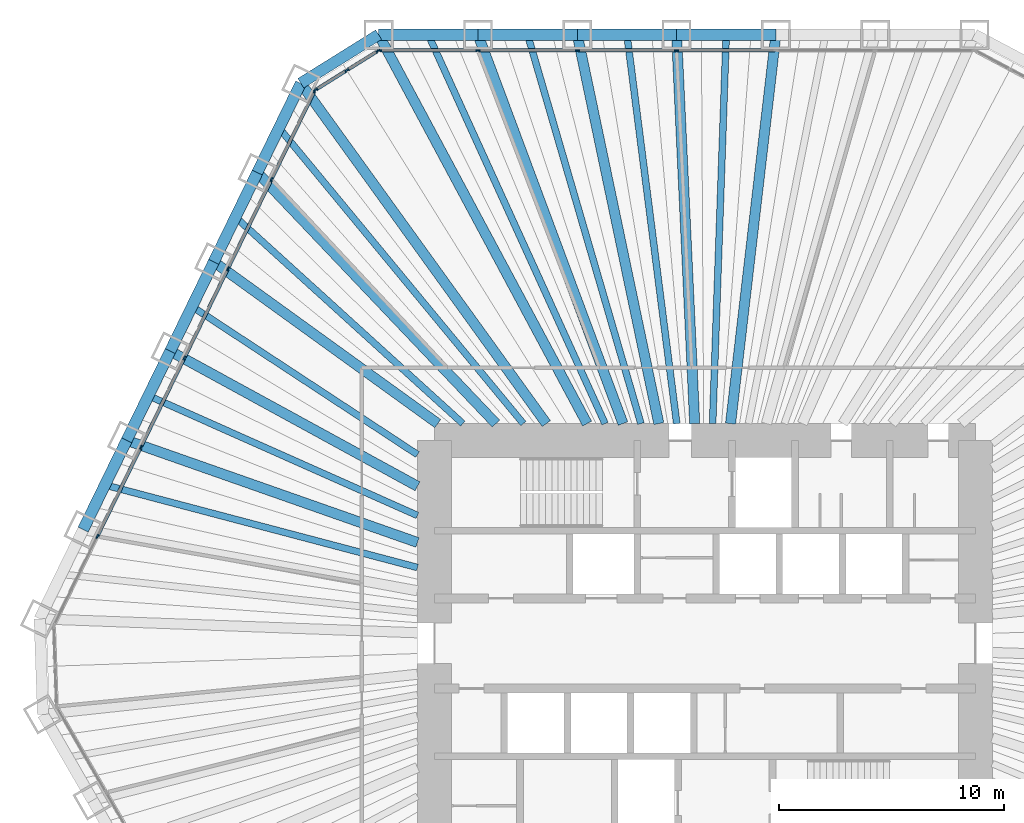
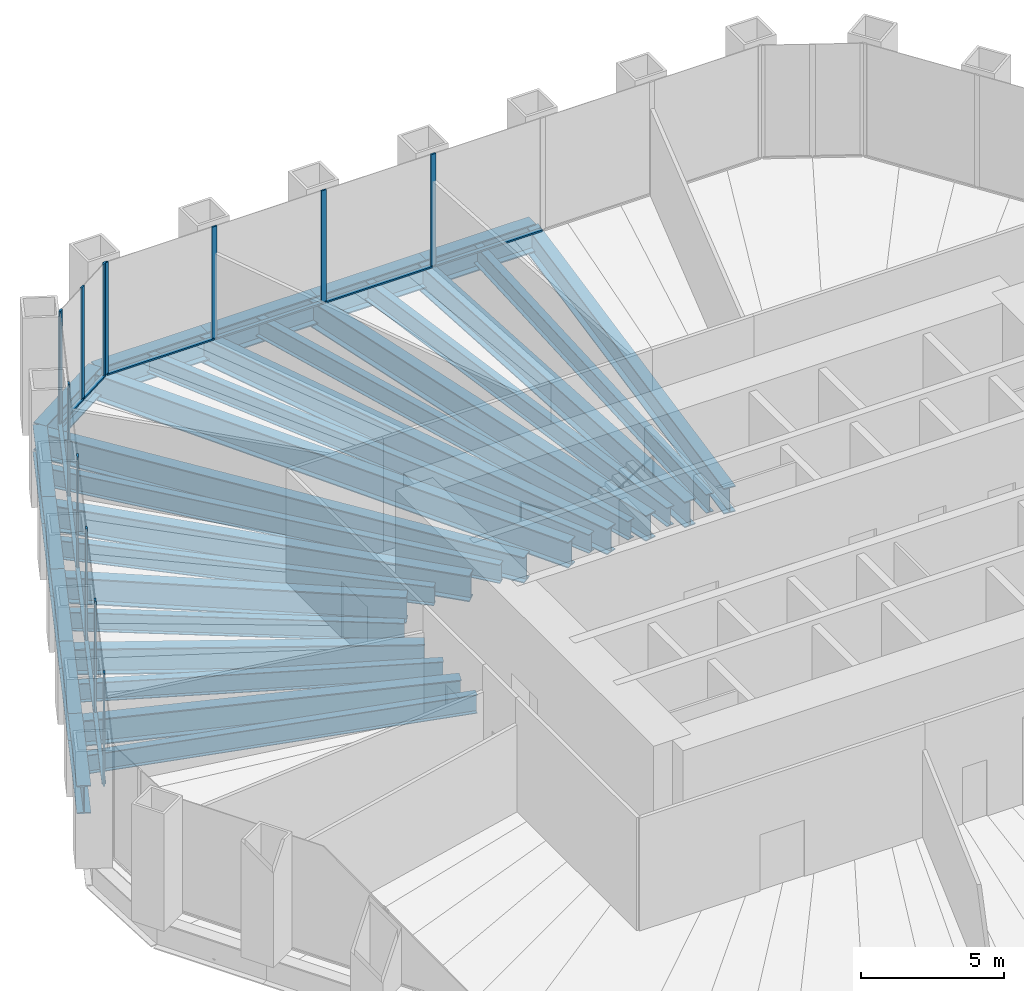
# One storey, part 6 of 13: 29 beams, 24 members, 3 elements without a shape of their own.
"""IFC4 building model written with IfcOpenShell, lengths in metres."""

from ifc_helpers import new_model, si_unit, direction, frame, origin, origin_2d, place, context, subcontext, project, spatial, rectangle, i_section, extrude, material, material_profile, profile_set, type_object, element, aggregate, save


model = new_model("IFC4")

# Units and contexts
model_context = context("Model", 3, precision=1e-05, world=origin(), true_north=direction((0.0, 1.0)))
body_context = subcontext(model_context, "Body", "Model", "MODEL_VIEW")
ifc_project = project(units=[si_unit("LENGTHUNIT", "METRE"), si_unit("AREAUNIT", "SQUARE_METRE"), si_unit("VOLUMEUNIT", "CUBIC_METRE"), si_unit("PLANEANGLEUNIT", "RADIAN"), si_unit("MASSUNIT", "GRAM", prefix="KILO")], contexts=[model_context])

# Site, building, storey
site_placement = place(None, origin())
site = spatial("IfcSite", under=ifc_project, at=site_placement, CompositionType="ELEMENT")
building_placement = place(site_placement, origin())
building = spatial("IfcBuilding", under=site, at=building_placement, Name="Qingtian Harvest Tower", CompositionType="ELEMENT")
storey_placement = place(building_placement, frame((0.0, 0.0, 27.0)))
storey = spatial("IfcBuildingStorey", under=building, at=storey_placement, Name="L05", CompositionType="ELEMENT", Elevation=27.0)

# Beams
ifc_material_1 = material(Name="Steel SM570MC", Category="steel")
ifc_material_profile_1 = material_profile(ifc_material_1, i_section(OverallWidth=0.449951171875, OverallDepth=1.10009765625, WebThickness=0.02197265625, FlangeThickness=0.044921875, at=origin_2d()), Name="H1100x450x22x45")
ifc_profile_set_1 = profile_set([ifc_material_profile_1], Name="Steel SM570MC")
beam_type_1 = type_object("IfcBeamType", Name="Corner floor beam FB8 H1100x450x22x45", PredefinedType="BEAM", material=ifc_profile_set_1)
beam_1_placement = place(storey_placement, frame((-14.471435546875, 27.0, -0.75), z_axis=(0.472401408299, -0.881383520062, 0.0), x_axis=(0.881383520062, 0.472401408299, 0.0)))
element("IfcBeam", 1, at=beam_1_placement, inside=storey, type_object=beam_type_1, Name="Floor beam FB8 N0", PredefinedType="BEAM", context=body_context, shape_type="SweptSolid", body=[
    extrude(i_section(OverallWidth=0.449951171875, OverallDepth=1.10009765625, WebThickness=0.02197265625, FlangeThickness=0.044921875, at=origin_2d()), origin(), (0.0, 0.0, 1.0), 19.571533203125),
])
beam_2_placement = place(storey_placement, frame((-17.923583984375, 24.8427734375, -0.75), z_axis=(0.585095822328, -0.810964166098, 0.0), x_axis=(0.810964166098, 0.585095822328, 0.0)))
element("IfcBeam", 2, at=beam_2_placement, inside=storey, type_object=beam_type_1, Name="Floor beam FB8 NW6", PredefinedType="BEAM", context=body_context, shape_type="SweptSolid", body=[
    extrude(i_section(OverallWidth=0.449951171875, OverallDepth=1.10009765625, WebThickness=0.02197265625, FlangeThickness=0.044921875, at=origin_2d()), origin(), (0.0, 0.0, 1.0), 18.61083984375),
])
ifc_material_2 = material(Name="Steel SM570MC", Category="steel")
ifc_material_profile_2 = material_profile(ifc_material_2, i_section(OverallWidth=0.449951171875, OverallDepth=1.10009765625, WebThickness=0.02197265625, FlangeThickness=0.044921875, at=origin_2d()), Name="H1100x450x22x45")
ifc_profile_set_2 = profile_set([ifc_material_profile_2], Name="Steel SM570MC")
beam_type_2 = type_object("IfcBeamType", Name="Floor beam FB1 H1100x450x22x45", PredefinedType="BEAM", material=ifc_profile_set_2)
beam_3_placement = place(storey_placement, frame((-10.06689453125, 27.0, -0.75), z_axis=(0.349355612113, -0.936990211414, 0.0), x_axis=(0.936990211414, 0.349355612113, 0.0)))
element("IfcBeam", 3, at=beam_3_placement, inside=storey, type_object=beam_type_2, Name="Floor beam FB1 N1", PredefinedType="BEAM", context=body_context, shape_type="SweptSolid", body=[
    extrude(i_section(OverallWidth=0.449951171875, OverallDepth=1.10009765625, WebThickness=0.02197265625, FlangeThickness=0.044921875, at=origin_2d()), origin(), (0.0, 0.0, 1.0), 18.409912109375),
])
beam_4_placement = place(storey_placement, frame((-5.662353515625, 27.0, -0.75), z_axis=(0.205255077335, -0.978708512903, 0.0), x_axis=(0.978708512903, 0.205255077335, 0.0)))
element("IfcBeam", 4, at=beam_4_placement, inside=storey, type_object=beam_type_2, Name="Floor beam FB1 N2", PredefinedType="BEAM", context=body_context, shape_type="SweptSolid", body=[
    extrude(i_section(OverallWidth=0.449951171875, OverallDepth=1.10009765625, WebThickness=0.02197265625, FlangeThickness=0.044921875, at=origin_2d()), origin(), (0.0, 0.0, 1.0), 17.625244140625),
])
beam_5_placement = place(storey_placement, frame((-1.257568359375, 27.0, -0.75), z_axis=(0.046527342366, -0.99891701678, 0.0), x_axis=(0.99891701678, 0.046527342366, 0.0)))
element("IfcBeam", 5, at=beam_5_placement, inside=storey, type_object=beam_type_2, Name="Floor beam FB1 N3", PredefinedType="BEAM", context=body_context, shape_type="SweptSolid", body=[
    extrude(i_section(OverallWidth=0.449951171875, OverallDepth=1.10009765625, WebThickness=0.02197265625, FlangeThickness=0.044921875, at=origin_2d()), origin(), (0.0, 0.0, 1.0), 17.268798828125),
])
beam_6_placement = place(storey_placement, frame((3.14697265625, 27.0, -0.75), z_axis=(-0.115766971807, -0.993276400726, 0.0), x_axis=(0.993276400726, -0.115766971807, 0.0)))
element("IfcBeam", 6, at=beam_6_placement, inside=storey, type_object=beam_type_2, Name="Floor beam FB1 N4", PredefinedType="BEAM", context=body_context, shape_type="SweptSolid", body=[
    extrude(i_section(OverallWidth=0.449951171875, OverallDepth=1.10009765625, WebThickness=0.02197265625, FlangeThickness=0.044921875, at=origin_2d()), origin(), (0.0, 0.0, 1.0), 17.36669921875),
])
beam_7_placement = place(storey_placement, frame((-25.64697265625, 9.007568359375, -0.75), z_axis=(0.943501950009, -0.331366972296, 0.0), x_axis=(0.331366972296, 0.943501950009, 0.0)))
element("IfcBeam", 7, at=beam_7_placement, inside=storey, type_object=beam_type_2, Name="Floor beam FB1 NW2", PredefinedType="BEAM", context=body_context, shape_type="SweptSolid", body=[
    extrude(i_section(OverallWidth=0.449951171875, OverallDepth=1.10009765625, WebThickness=0.02197265625, FlangeThickness=0.044921875, at=origin_2d()), origin(), (0.0, 0.0, 1.0), 13.669189453125),
])
beam_8_placement = place(storey_placement, frame((-23.716064453125, 12.96630859375, -0.75), z_axis=(0.877428569154, -0.479707312882, 0.0), x_axis=(0.479707312882, 0.877428569154, 0.0)))
element("IfcBeam", 8, at=beam_8_placement, inside=storey, type_object=beam_type_2, Name="Floor beam FB1 NW3", PredefinedType="BEAM", context=body_context, shape_type="SweptSolid", body=[
    extrude(i_section(OverallWidth=0.449951171875, OverallDepth=1.10009765625, WebThickness=0.02197265625, FlangeThickness=0.044921875, at=origin_2d()), origin(), (0.0, 0.0, 1.0), 12.498046875),
])
beam_9_placement = place(storey_placement, frame((-21.78515625, 16.92529296875, -0.75), z_axis=(0.810680279019, -0.585489099139, 0.0), x_axis=(0.585489099139, 0.810680279019, 0.0)))
element("IfcBeam", 9, at=beam_9_placement, inside=storey, type_object=beam_type_2, Name="Floor beam FB1 NW4", PredefinedType="BEAM", context=body_context, shape_type="SweptSolid", body=[
    extrude(i_section(OverallWidth=0.449951171875, OverallDepth=1.10009765625, WebThickness=0.02197265625, FlangeThickness=0.044921875, at=origin_2d()), origin(), (0.0, 0.0, 1.0), 12.255126953125),
])
beam_10_placement = place(storey_placement, frame((-19.8544921875, 20.884033203125, -0.75), z_axis=(0.689018801535, -0.724743465739, 0.0), x_axis=(0.724743465739, 0.689018801535, 0.0)))
element("IfcBeam", 10, at=beam_10_placement, inside=storey, type_object=beam_type_2, Name="Floor beam FB1 NW5", PredefinedType="BEAM", context=body_context, shape_type="SweptSolid", body=[
    extrude(i_section(OverallWidth=0.449951171875, OverallDepth=1.10009765625, WebThickness=0.02197265625, FlangeThickness=0.044921875, at=origin_2d()), origin(), (0.0, 0.0, 1.0), 15.36279296875),
])
ifc_material_3 = material(Name="Steel SN490B", Category="steel")
ifc_material_profile_3 = material_profile(ifc_material_3, i_section(OverallWidth=0.300048828125, OverallDepth=0.800048828125, WebThickness=0.013916015625, FlangeThickness=0.02587890625, at=origin_2d()), Name="H800x300x14x26")
ifc_profile_set_3 = profile_set([ifc_material_profile_3], Name="Steel SN490B")
beam_type_3 = type_object("IfcBeamType", Name="Floor joist J1 H800x300x14x26", PredefinedType="JOIST", material=ifc_profile_set_3)
beam_11_placement = place(storey_placement, frame((-12.269287109375, 27.0, -0.60009765625), z_axis=(0.413713629402, -0.910407069858, 0.0), x_axis=(0.910407069858, 0.413713629402, 0.0)))
element("IfcBeam", 11, at=beam_11_placement, inside=storey, type_object=beam_type_3, Name="Floor joist J1 N0", PredefinedType="JOIST", context=body_context, shape_type="SweptSolid", body=[
    extrude(i_section(OverallWidth=0.300048828125, OverallDepth=0.800048828125, WebThickness=0.013916015625, FlangeThickness=0.02587890625, at=origin_2d()), origin(), (0.0, 0.0, 1.0), 18.947509765625),
])
beam_12_placement = place(storey_placement, frame((-7.864501953125, 27.0, -0.60009765625), z_axis=(0.279649335299, -0.960102207719, 0.0), x_axis=(0.960102207719, 0.279649335299, 0.0)))
element("IfcBeam", 12, at=beam_12_placement, inside=storey, type_object=beam_type_3, Name="Floor joist J1 N1", PredefinedType="JOIST", context=body_context, shape_type="SweptSolid", body=[
    extrude(i_section(OverallWidth=0.300048828125, OverallDepth=0.800048828125, WebThickness=0.013916015625, FlangeThickness=0.02587890625, at=origin_2d()), origin(), (0.0, 0.0, 1.0), 17.966796875),
])
beam_13_placement = place(storey_placement, frame((-3.4599609375, 27.0, -0.60009765625), z_axis=(0.127102696173, -0.991889562716, 0.0), x_axis=(0.991889562716, 0.127102696173, 0.0)))
element("IfcBeam", 13, at=beam_13_placement, inside=storey, type_object=beam_type_3, Name="Floor joist J1 N2", PredefinedType="JOIST", context=body_context, shape_type="SweptSolid", body=[
    extrude(i_section(OverallWidth=0.300048828125, OverallDepth=0.800048828125, WebThickness=0.013916015625, FlangeThickness=0.02587890625, at=origin_2d()), origin(), (0.0, 0.0, 1.0), 17.39111328125),
])
beam_14_placement = place(storey_placement, frame((0.944580078125, 27.0, -0.60009765625), z_axis=(-0.034965020137, -0.99938853674, 0.0), x_axis=(0.99938853674, -0.034965020137, 0.0)))
element("IfcBeam", 14, at=beam_14_placement, inside=storey, type_object=beam_type_3, Name="Floor joist J1 N3", PredefinedType="JOIST", context=body_context, shape_type="SweptSolid", body=[
    extrude(i_section(OverallWidth=0.300048828125, OverallDepth=0.800048828125, WebThickness=0.013916015625, FlangeThickness=0.02587890625, at=origin_2d()), origin(), (0.0, 0.0, 1.0), 17.260498046875),
])
beam_15_placement = place(storey_placement, frame((-26.6123046875, 7.028076171875, -0.60009765625), z_axis=(0.966852496992, -0.255335561684, 0.0), x_axis=(0.255335561684, 0.966852496992, 0.0)))
element("IfcBeam", 15, at=beam_15_placement, inside=storey, type_object=beam_type_3, Name="Floor joist J1 NW1", PredefinedType="JOIST", context=body_context, shape_type="SweptSolid", body=[
    extrude(i_section(OverallWidth=0.300048828125, OverallDepth=0.800048828125, WebThickness=0.013916015625, FlangeThickness=0.02587890625, at=origin_2d()), origin(), (0.0, 0.0, 1.0), 14.337646484375),
])
beam_16_placement = place(storey_placement, frame((-24.681640625, 10.987060546875, -0.60009765625), z_axis=(0.913567796195, -0.406686466157, 0.0), x_axis=(0.406686466157, 0.913567796195, 0.0)))
element("IfcBeam", 16, at=beam_16_placement, inside=storey, type_object=beam_type_3, Name="Floor joist J1 NW2", PredefinedType="JOIST", context=body_context, shape_type="SweptSolid", body=[
    extrude(i_section(OverallWidth=0.300048828125, OverallDepth=0.800048828125, WebThickness=0.013916015625, FlangeThickness=0.02587890625, at=origin_2d()), origin(), (0.0, 0.0, 1.0), 13.060546875),
])
beam_17_placement = place(storey_placement, frame((-22.750732421875, 14.94580078125, -0.60009765625), z_axis=(0.835785467613, -0.549056146607, 0.0), x_axis=(0.549056146607, 0.835785467613, 0.0)))
element("IfcBeam", 17, at=beam_17_placement, inside=storey, type_object=beam_type_3, Name="Floor joist J1 NW3", PredefinedType="JOIST", context=body_context, shape_type="SweptSolid", body=[
    extrude(i_section(OverallWidth=0.300048828125, OverallDepth=0.800048828125, WebThickness=0.013916015625, FlangeThickness=0.02587890625, at=origin_2d()), origin(), (0.0, 0.0, 1.0), 11.965576171875),
])
beam_18_placement = place(storey_placement, frame((-20.81982421875, 18.904541015625, -0.60009765625), z_axis=(0.740339866926, -0.672232758381, 0.0), x_axis=(0.672232758381, 0.740339866926, 0.0)))
element("IfcBeam", 18, at=beam_18_placement, inside=storey, type_object=beam_type_3, Name="Floor joist J1 NW4", PredefinedType="JOIST", context=body_context, shape_type="SweptSolid", body=[
    extrude(i_section(OverallWidth=0.300048828125, OverallDepth=0.800048828125, WebThickness=0.013916015625, FlangeThickness=0.02587890625, at=origin_2d()), origin(), (0.0, 0.0, 1.0), 13.6181640625),
])
beam_19_placement = place(storey_placement, frame((-18.888916015625, 22.863525390625, -0.60009765625), z_axis=(0.636910378144, -0.77093785107, 0.0), x_axis=(0.77093785107, 0.636910378144, 0.0)))
element("IfcBeam", 19, at=beam_19_placement, inside=storey, type_object=beam_type_3, Name="Floor joist J1 NW5", PredefinedType="JOIST", context=body_context, shape_type="SweptSolid", body=[
    extrude(i_section(OverallWidth=0.300048828125, OverallDepth=0.800048828125, WebThickness=0.013916015625, FlangeThickness=0.02587890625, at=origin_2d()), origin(), (0.0, 0.0, 1.0), 17.009765625),
])

# Curtain wall, members
ifc_material_4 = material(Name="Bronze-anodised aluminium curtain wall", Category="aluminium")
curtain_wall_type = type_object("IfcCurtainWallType", Name="Curtain wall CW2 farm reception", PredefinedType="USERDEFINED", material=ifc_material_4)
curtain_wall_1_placement = place(storey_placement, origin())
curtain_wall_1 = element("IfcCurtainWall", 20, at=curtain_wall_1_placement, inside=storey, type_object=curtain_wall_type, Name="Curtain wall CW2 L05 N0-5", ObjectType="RECESSED CURTAIN WALL", PredefinedType="USERDEFINED")
ifc_material_5 = material(Name="Bronze-anodised aluminium mullion", Category="aluminium")
ifc_material_profile_4 = material_profile(ifc_material_5, rectangle(XDim=0.06494140625, YDim=0.199951171875, at=origin_2d()), Name="AL 65x200")
ifc_profile_set_4 = profile_set([ifc_material_profile_4], Name="Bronze-anodised aluminium mullion")
member_type_1 = type_object("IfcMemberType", Name="Mullion CWM 65x200", PredefinedType="MULLION", material=ifc_profile_set_4)
member_1_placement = place(storey_placement, frame((-14.43896484375, 26.300048828125, 0.0), z_axis=(0.0, 0.0, 1.0), x_axis=(0.0, 1.0, 0.0)))
member_1 = element("IfcMember", 21, at=member_1_placement, type_object=member_type_1, Name="CW2 mullion 1", PredefinedType="MULLION", context=body_context, shape_type="SweptSolid", body=[
    extrude(rectangle(XDim=0.06494140625, YDim=0.199951171875, at=origin_2d()), origin(), (0.0, 0.0, 1.0), 4.800048828125),
])
member_2_placement = place(storey_placement, frame((-10.06689453125, 26.300048828125, 0.0), z_axis=(0.0, 0.0, 1.0), x_axis=(0.0, 1.0, 0.0)))
member_2 = element("IfcMember", 22, at=member_2_placement, type_object=member_type_1, Name="CW2 mullion 2", PredefinedType="MULLION", context=body_context, shape_type="SweptSolid", body=[
    extrude(rectangle(XDim=0.06494140625, YDim=0.199951171875, at=origin_2d()), origin(), (0.0, 0.0, 1.0), 4.800048828125),
])
member_3_placement = place(storey_placement, frame((-5.662353515625, 26.300048828125, 0.0), z_axis=(0.0, 0.0, 1.0), x_axis=(0.0, 1.0, 0.0)))
member_3 = element("IfcMember", 23, at=member_3_placement, type_object=member_type_1, Name="CW2 mullion 3", PredefinedType="MULLION", context=body_context, shape_type="SweptSolid", body=[
    extrude(rectangle(XDim=0.06494140625, YDim=0.199951171875, at=origin_2d()), origin(), (0.0, 0.0, 1.0), 4.800048828125),
])
member_4_placement = place(storey_placement, frame((-1.257568359375, 26.300048828125, 0.0), z_axis=(0.0, 0.0, 1.0), x_axis=(0.0, 1.0, 0.0)))
member_4 = element("IfcMember", 24, at=member_4_placement, type_object=member_type_1, Name="CW2 mullion 4", PredefinedType="MULLION", context=body_context, shape_type="SweptSolid", body=[
    extrude(rectangle(XDim=0.06494140625, YDim=0.199951171875, at=origin_2d()), origin(), (0.0, 0.0, 1.0), 4.800048828125),
])

curtain_wall_2_placement = place(storey_placement, origin())
curtain_wall_2 = element("IfcCurtainWall", 25, at=curtain_wall_2_placement, inside=storey, type_object=curtain_wall_type, Name="Curtain wall CW2 L05 NW0-5", ObjectType="RECESSED CURTAIN WALL", PredefinedType="USERDEFINED")
member_5_placement = place(storey_placement, frame((-26.94873046875, 4.741943359375, 0.0), z_axis=(0.0, 0.0, 1.0), x_axis=(-0.898794046299, 0.438371146789, 0.0)))
member_5 = element("IfcMember", 26, at=member_5_placement, type_object=member_type_1, Name="CW2 mullion 2", PredefinedType="MULLION", context=body_context, shape_type="SweptSolid", body=[
    extrude(rectangle(XDim=0.06494140625, YDim=0.199951171875, at=origin_2d()), origin(), (0.0, 0.0, 1.0), 4.800048828125),
])
member_6_placement = place(storey_placement, frame((-25.017822265625, 8.70068359375, 0.0), z_axis=(0.0, 0.0, 1.0), x_axis=(-0.898794046299, 0.438371146789, 0.0)))
member_6 = element("IfcMember", 27, at=member_6_placement, type_object=member_type_1, Name="CW2 mullion 3", PredefinedType="MULLION", context=body_context, shape_type="SweptSolid", body=[
    extrude(rectangle(XDim=0.06494140625, YDim=0.199951171875, at=origin_2d()), origin(), (0.0, 0.0, 1.0), 4.800048828125),
])
member_7_placement = place(storey_placement, frame((-23.0869140625, 12.659423828125, 0.0), z_axis=(0.0, 0.0, 1.0), x_axis=(-0.898794046299, 0.438371146789, 0.0)))
member_7 = element("IfcMember", 28, at=member_7_placement, type_object=member_type_1, Name="CW2 mullion 4", PredefinedType="MULLION", context=body_context, shape_type="SweptSolid", body=[
    extrude(rectangle(XDim=0.06494140625, YDim=0.199951171875, at=origin_2d()), origin(), (0.0, 0.0, 1.0), 4.800048828125),
])
member_8_placement = place(storey_placement, frame((-21.156005859375, 16.618408203125, 0.0), z_axis=(0.0, 0.0, 1.0), x_axis=(-0.898794046299, 0.438371146789, 0.0)))
member_8 = element("IfcMember", 29, at=member_8_placement, type_object=member_type_1, Name="CW2 mullion 5", PredefinedType="MULLION", context=body_context, shape_type="SweptSolid", body=[
    extrude(rectangle(XDim=0.06494140625, YDim=0.199951171875, at=origin_2d()), origin(), (0.0, 0.0, 1.0), 4.800048828125),
])
member_9_placement = place(storey_placement, frame((-19.225341796875, 20.5771484375, 0.0), z_axis=(0.0, 0.0, 1.0), x_axis=(-0.898794046299, 0.438371146789, 0.0)))
member_9 = element("IfcMember", 30, at=member_9_placement, type_object=member_type_1, Name="CW2 mullion 6", PredefinedType="MULLION", context=body_context, shape_type="SweptSolid", body=[
    extrude(rectangle(XDim=0.06494140625, YDim=0.199951171875, at=origin_2d()), origin(), (0.0, 0.0, 1.0), 4.800048828125),
])
member_10_placement = place(storey_placement, frame((-17.30859375, 24.5068359375, 0.0), z_axis=(0.0, 0.0, 1.0), x_axis=(-0.898794046299, 0.438371146789, 0.0)))
member_10 = element("IfcMember", 31, at=member_10_placement, type_object=member_type_1, Name="CW2 mullion 7", PredefinedType="MULLION", context=body_context, shape_type="SweptSolid", body=[
    extrude(rectangle(XDim=0.06494140625, YDim=0.199951171875, at=origin_2d()), origin(), (0.0, 0.0, 1.0), 4.800048828125),
])

curtain_wall_3_placement = place(storey_placement, origin())
curtain_wall_3 = element("IfcCurtainWall", 32, at=curtain_wall_3_placement, inside=storey, type_object=curtain_wall_type, Name="Curtain wall CW2 L05 NWC", ObjectType="RECESSED CURTAIN WALL", PredefinedType="USERDEFINED")
member_11_placement = place(storey_placement, frame((-17.266845703125, 24.55322265625, 0.0), z_axis=(0.0, 0.0, 1.0), x_axis=(-0.529919264233, 0.848048096156, 0.0)))
member_11 = element("IfcMember", 33, at=member_11_placement, type_object=member_type_1, Name="CW2 mullion 1", PredefinedType="MULLION", context=body_context, shape_type="SweptSolid", body=[
    extrude(rectangle(XDim=0.06494140625, YDim=0.199951171875, at=origin_2d()), origin(), (0.0, 0.0, 1.0), 4.800048828125),
])
member_12_placement = place(storey_placement, frame((-15.883056640625, 25.41796875, 0.0), z_axis=(0.0, 0.0, 1.0), x_axis=(-0.529919264233, 0.848048096156, 0.0)))
member_12 = element("IfcMember", 34, at=member_12_placement, type_object=member_type_1, Name="CW2 mullion 2", PredefinedType="MULLION", context=body_context, shape_type="SweptSolid", body=[
    extrude(rectangle(XDim=0.06494140625, YDim=0.199951171875, at=origin_2d()), origin(), (0.0, 0.0, 1.0), 4.800048828125),
])
member_13_placement = place(storey_placement, frame((-14.4990234375, 26.28271484375, 0.0), z_axis=(0.0, 0.0, 1.0), x_axis=(-0.529919264233, 0.848048096156, 0.0)))
member_13 = element("IfcMember", 35, at=member_13_placement, type_object=member_type_1, Name="CW2 mullion 3", PredefinedType="MULLION", context=body_context, shape_type="SweptSolid", body=[
    extrude(rectangle(XDim=0.06494140625, YDim=0.199951171875, at=origin_2d()), origin(), (0.0, 0.0, 1.0), 4.800048828125),
])

# Beams
ifc_material_6 = material(Name="Steel SM570MC", Category="steel")
ifc_material_profile_5 = material_profile(ifc_material_6, i_section(OverallWidth=0.5, OverallDepth=1.199951171875, WebThickness=0.02490234375, FlangeThickness=0.050048828125, at=origin_2d()), Name="H1200x500x25x50")
ifc_profile_set_5 = profile_set([ifc_material_profile_5], Name="Steel SM570MC")
beam_type_4 = type_object("IfcBeamType", Name="Spandrel beam SB1 H1200x500x25x50", PredefinedType="SPANDREL", material=ifc_profile_set_5)
for number, where, z_axis, x_axis, name in (
    (36, (-14.471435546875, 27.0, -0.60009765625), (1.0, 0.0, 0.0), (0.0, 1.0, 0.0), "Spandrel SB1 N0"),
    (37, (-10.06689453125, 27.0, -0.60009765625), (1.0, 0.0, 0.0), (0.0, 1.0, 0.0), "Spandrel SB1 N1"),
):
    element("IfcBeam", number, at=place(storey_placement, frame(where, z_axis=z_axis, x_axis=x_axis)), inside=storey, type_object=beam_type_4, Name=name, PredefinedType="SPANDREL", context=body_context, shape_type="SweptSolid", body=[
        extrude(i_section(OverallWidth=0.5, OverallDepth=1.199951171875, WebThickness=0.02490234375, FlangeThickness=0.050048828125, at=origin_2d()), origin(), (0.0, 0.0, 1.0), 4.404541015625),
    ])
beam_20_placement = place(storey_placement, frame((-5.662353515625, 27.0, -0.60009765625), z_axis=(1.0, 0.0, 0.0), x_axis=(0.0, 1.0, 0.0)))
element("IfcBeam", 38, at=beam_20_placement, inside=storey, type_object=beam_type_4, Name="Spandrel SB1 N2", PredefinedType="SPANDREL", context=body_context, shape_type="SweptSolid", body=[
    extrude(i_section(OverallWidth=0.5, OverallDepth=1.199951171875, WebThickness=0.02490234375, FlangeThickness=0.050048828125, at=origin_2d()), origin(), (0.0, 0.0, 1.0), 4.40478515625),
])
for number, where, z_axis, x_axis, name in (
    (39, (-1.257568359375, 27.0, -0.60009765625), (1.0, 0.0, 0.0), (0.0, 1.0, 0.0), "Spandrel SB1 N3"),
    (40, (-27.577880859375, 5.048828125, -0.60009765625), (0.438389777529, 0.898784959241, 0.0), (-0.898784959241, 0.438389777529, 0.0), "Spandrel SB1 NW1"),
    (41, (-25.64697265625, 9.007568359375, -0.60009765625), (0.438389777529, 0.898784959241, 0.0), (-0.898784959241, 0.438389777529, 0.0), "Spandrel SB1 NW2"),
):
    element("IfcBeam", number, at=place(storey_placement, frame(where, z_axis=z_axis, x_axis=x_axis)), inside=storey, type_object=beam_type_4, Name=name, PredefinedType="SPANDREL", context=body_context, shape_type="SweptSolid", body=[
        extrude(i_section(OverallWidth=0.5, OverallDepth=1.199951171875, WebThickness=0.02490234375, FlangeThickness=0.050048828125, at=origin_2d()), origin(), (0.0, 0.0, 1.0), 4.404541015625),
    ])
beam_21_placement = place(storey_placement, frame((-23.716064453125, 12.96630859375, -0.60009765625), z_axis=(0.438367938366, 0.898795611145, 0.0), x_axis=(-0.898795611145, 0.438367938366, 0.0)))
element("IfcBeam", 42, at=beam_21_placement, inside=storey, type_object=beam_type_4, Name="Spandrel SB1 NW3", PredefinedType="SPANDREL", context=body_context, shape_type="SweptSolid", body=[
    extrude(i_section(OverallWidth=0.5, OverallDepth=1.199951171875, WebThickness=0.02490234375, FlangeThickness=0.050048828125, at=origin_2d()), origin(), (0.0, 0.0, 1.0), 4.40478515625),
])
for number, where, z_axis, x_axis, name in (
    (43, (-21.78515625, 16.92529296875, -0.60009765625), (0.438344999367, 0.898806798778, 0.0), (-0.898806798778, 0.438344999367, 0.0), "Spandrel SB1 NW4"),
    (44, (-19.8544921875, 20.884033203125, -0.60009765625), (0.438389777529, 0.898784959241, 0.0), (-0.898784959241, 0.438389777529, 0.0), "Spandrel SB1 NW5"),
):
    element("IfcBeam", number, at=place(storey_placement, frame(where, z_axis=z_axis, x_axis=x_axis)), inside=storey, type_object=beam_type_4, Name=name, PredefinedType="SPANDREL", context=body_context, shape_type="SweptSolid", body=[
        extrude(i_section(OverallWidth=0.5, OverallDepth=1.199951171875, WebThickness=0.02490234375, FlangeThickness=0.050048828125, at=origin_2d()), origin(), (0.0, 0.0, 1.0), 4.404541015625),
    ])
beam_22_placement = place(storey_placement, frame((-17.923583984375, 24.8427734375, -0.60009765625), z_axis=(0.848038733752, 0.529934246919, 0.0), x_axis=(-0.529934246919, 0.848038733752, 0.0)))
element("IfcBeam", 45, at=beam_22_placement, inside=storey, type_object=beam_type_4, Name="Spandrel SB1 NWC", PredefinedType="SPANDREL", context=body_context, shape_type="SweptSolid", body=[
    extrude(i_section(OverallWidth=0.5, OverallDepth=1.199951171875, WebThickness=0.02490234375, FlangeThickness=0.050048828125, at=origin_2d()), origin(), (0.0, 0.0, 1.0), 4.07080078125),
])

# Member
ifc_material_7 = material(Name="Bronze-anodised aluminium transom", Category="aluminium")
ifc_material_profile_6 = material_profile(ifc_material_7, rectangle(XDim=0.14990234375, YDim=0.06494140625, at=origin_2d()), Name="AL 65x150")
ifc_profile_set_6 = profile_set([ifc_material_profile_6], Name="Bronze-anodised aluminium transom")
member_type_2 = type_object("IfcMemberType", Name="Transom CWT 65x150", PredefinedType="USERDEFINED", material=ifc_profile_set_6)
member_14_placement = place(storey_placement, frame((-14.406494140625, 26.300048828125, 0.032470703125), z_axis=(1.0, 0.0, 0.0), x_axis=(0.0, 1.0, 0.0)))
member_14 = element("IfcMember", 46, at=member_14_placement, type_object=member_type_2, Name="CW2 transom 1.1", ObjectType="TRANSOM", PredefinedType="USERDEFINED", context=body_context, shape_type="SweptSolid", body=[
    extrude(rectangle(XDim=0.14990234375, YDim=0.06494140625, at=origin_2d()), origin(), (0.0, 0.0, 1.0), 4.30712890625),
])

member_15_placement = place(storey_placement, frame((-10.034423828125, 26.300048828125, 0.032470703125), z_axis=(1.0, 0.0, 0.0), x_axis=(0.0, 1.0, 0.0)))
member_15 = element("IfcMember", 47, at=member_15_placement, type_object=member_type_2, Name="CW2 transom 2.1", ObjectType="TRANSOM", PredefinedType="USERDEFINED", context=body_context, shape_type="SweptSolid", body=[
    extrude(rectangle(XDim=0.14990234375, YDim=0.06494140625, at=origin_2d()), origin(), (0.0, 0.0, 1.0), 4.339599609375),
])

member_16_placement = place(storey_placement, frame((-5.6298828125, 26.300048828125, 0.032470703125), z_axis=(1.0, 0.0, 0.0), x_axis=(0.0, 1.0, 0.0)))
member_16 = element("IfcMember", 48, at=member_16_placement, type_object=member_type_2, Name="CW2 transom 3.1", ObjectType="TRANSOM", PredefinedType="USERDEFINED", context=body_context, shape_type="SweptSolid", body=[
    extrude(rectangle(XDim=0.14990234375, YDim=0.06494140625, at=origin_2d()), origin(), (0.0, 0.0, 1.0), 4.33984375),
])

member_17_placement = place(storey_placement, frame((-1.22509765625, 26.300048828125, 0.032470703125), z_axis=(1.0, 0.0, 0.0), x_axis=(0.0, 1.0, 0.0)))
member_17 = element("IfcMember", 49, at=member_17_placement, type_object=member_type_2, Name="CW2 transom 4.1", ObjectType="TRANSOM", PredefinedType="USERDEFINED", context=body_context, shape_type="SweptSolid", body=[
    extrude(rectangle(XDim=0.14990234375, YDim=0.06494140625, at=origin_2d()), origin(), (0.0, 0.0, 1.0), 4.339599609375),
])

aggregate(curtain_wall_1, [member_1, member_2, member_3, member_4, member_14, member_15, member_16, member_17])

member_18_placement = place(storey_placement, frame((-26.934326171875, 4.77099609375, 0.032470703125), z_axis=(0.438370427127, 0.898794397302, 0.0), x_axis=(-0.898794397302, 0.438370427127, 0.0)))
member_18 = element("IfcMember", 50, at=member_18_placement, type_object=member_type_2, Name="CW2 transom 2.1", ObjectType="TRANSOM", PredefinedType="USERDEFINED", context=body_context, shape_type="SweptSolid", body=[
    extrude(rectangle(XDim=0.14990234375, YDim=0.06494140625, at=origin_2d()), origin(), (0.0, 0.0, 1.0), 4.339599609375),
])

member_19_placement = place(storey_placement, frame((-25.003662109375, 8.72998046875, 0.032470703125), z_axis=(0.438370427127, 0.898794397302, 0.0), x_axis=(-0.898794397302, 0.438370427127, 0.0)))
member_19 = element("IfcMember", 51, at=member_19_placement, type_object=member_type_2, Name="CW2 transom 3.1", ObjectType="TRANSOM", PredefinedType="USERDEFINED", context=body_context, shape_type="SweptSolid", body=[
    extrude(rectangle(XDim=0.14990234375, YDim=0.06494140625, at=origin_2d()), origin(), (0.0, 0.0, 1.0), 4.339599609375),
])

member_20_placement = place(storey_placement, frame((-23.07275390625, 12.688720703125, 0.032470703125), z_axis=(0.438370427127, 0.898794397302, 0.0), x_axis=(-0.898794397302, 0.438370427127, 0.0)))
member_20 = element("IfcMember", 52, at=member_20_placement, type_object=member_type_2, Name="CW2 transom 4.1", ObjectType="TRANSOM", PredefinedType="USERDEFINED", context=body_context, shape_type="SweptSolid", body=[
    extrude(rectangle(XDim=0.14990234375, YDim=0.06494140625, at=origin_2d()), origin(), (0.0, 0.0, 1.0), 4.339599609375),
])

member_21_placement = place(storey_placement, frame((-21.141845703125, 16.6474609375, 0.032470703125), z_axis=(0.438348261778, 0.898805207704, 0.0), x_axis=(-0.898805207704, 0.438348261778, 0.0)))
member_21 = element("IfcMember", 53, at=member_21_placement, type_object=member_type_2, Name="CW2 transom 5.1", ObjectType="TRANSOM", PredefinedType="USERDEFINED", context=body_context, shape_type="SweptSolid", body=[
    extrude(rectangle(XDim=0.14990234375, YDim=0.06494140625, at=origin_2d()), origin(), (0.0, 0.0, 1.0), 4.33984375),
])

member_22_placement = place(storey_placement, frame((-19.2109375, 20.6064453125, 0.032470703125), z_axis=(0.438348803491, 0.89880494351, 0.0), x_axis=(-0.89880494351, 0.438348803491, 0.0)))
member_22 = element("IfcMember", 54, at=member_22_placement, type_object=member_type_2, Name="CW2 transom 6.1", ObjectType="TRANSOM", PredefinedType="USERDEFINED", context=body_context, shape_type="SweptSolid", body=[
    extrude(rectangle(XDim=0.14990234375, YDim=0.06494140625, at=origin_2d()), origin(), (0.0, 0.0, 1.0), 4.306884765625),
])

aggregate(curtain_wall_2, [member_5, member_6, member_7, member_8, member_9, member_10, member_18, member_19, member_20, member_21, member_22])

member_23_placement = place(storey_placement, frame((-17.2392578125, 24.570556640625, 0.032470703125), z_axis=(0.848059570903, 0.529900900357, 0.0), x_axis=(-0.529900900357, 0.848059570903, 0.0)))
member_23 = element("IfcMember", 55, at=member_23_placement, type_object=member_type_2, Name="CW2 transom 1.1", ObjectType="TRANSOM", PredefinedType="USERDEFINED", context=body_context, shape_type="SweptSolid", body=[
    extrude(rectangle(XDim=0.14990234375, YDim=0.06494140625, at=origin_2d()), origin(), (0.0, 0.0, 1.0), 1.56689453125),
])

member_24_placement = place(storey_placement, frame((-15.85546875, 25.435302734375, 0.032470703125), z_axis=(0.848059570903, 0.529900900357, 0.0), x_axis=(-0.529900900357, 0.848059570903, 0.0)))
member_24 = element("IfcMember", 56, at=member_24_placement, type_object=member_type_2, Name="CW2 transom 2.1", ObjectType="TRANSOM", PredefinedType="USERDEFINED", context=body_context, shape_type="SweptSolid", body=[
    extrude(rectangle(XDim=0.14990234375, YDim=0.06494140625, at=origin_2d()), origin(), (0.0, 0.0, 1.0), 1.56689453125),
])

aggregate(curtain_wall_3, [member_11, member_12, member_13, member_23, member_24])

save(model, "model.ifc")
